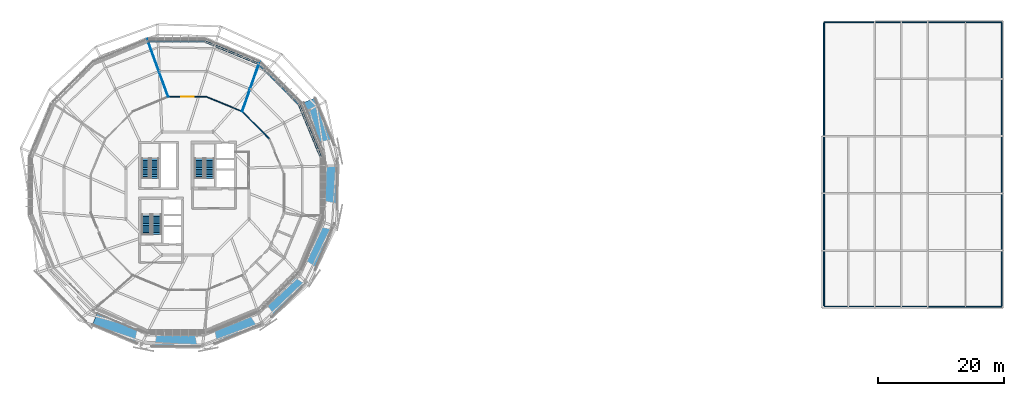
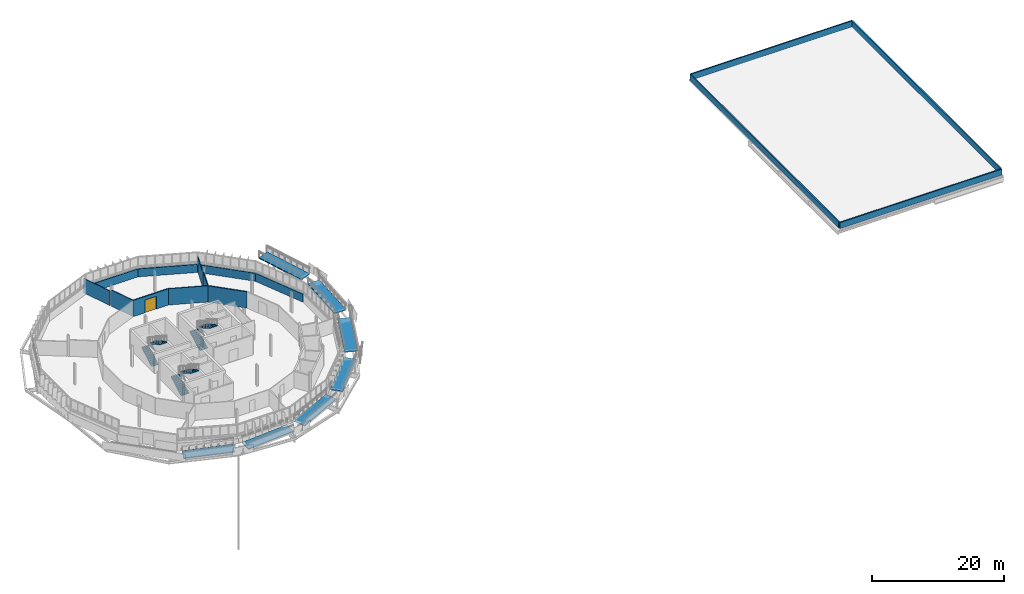
# One storey, part 31 of 38: 15 walls, 7 ramp flights, 6 stair flights, 1 door, 1 opening, 4 elements without a shape of their own.
"""IFC4 building model written with IfcOpenShell, lengths in metres."""

from ifc_helpers import new_model, si_unit, derived_unit, direction, frame, frame_2d, origin, place, context, subcontext, project, spatial, polyline, rectangle, outline, extrude, material, layer, layer_set, type_object, element, fill, aggregate, save


model = new_model("IFC4")

# Units and contexts
model_context = context("Model", 3, precision=1e-05, world=origin(), true_north=direction((0.0, 1.0)))
body_context = subcontext(model_context, "Body", "Model", "MODEL_VIEW")
ifc_project = project(units=[si_unit("LENGTHUNIT", "METRE"), si_unit("AREAUNIT", "SQUARE_METRE"), si_unit("VOLUMEUNIT", "CUBIC_METRE"), si_unit("PLANEANGLEUNIT", "RADIAN"), si_unit("MASSUNIT", "GRAM", prefix="KILO"), derived_unit("THERMALTRANSMITTANCEUNIT", [(si_unit("MASSUNIT", "GRAM", prefix="KILO"), 1), (si_unit("TIMEUNIT", "SECOND"), -3), (si_unit("THERMODYNAMICTEMPERATUREUNIT", "KELVIN"), -1)])], contexts=[model_context])

# Site, building, storey
site_placement = place(None, origin())
site = spatial("IfcSite", under=ifc_project, at=site_placement, CompositionType="ELEMENT")
building_placement = place(site_placement, origin())
building = spatial("IfcBuilding", under=site, at=building_placement, Name="Makaiwela Harbour Ferry Terminal", CompositionType="ELEMENT")
storey_placement = place(building_placement, frame((0.0, 0.0, 17.699951171875)))
storey = spatial("IfcBuildingStorey", under=building, at=storey_placement, Name="L04", CompositionType="ELEMENT", Elevation=17.699951171875)

# Walls
ifc_material_1 = material(Name="Precast concrete f'c 40 MPa (6000 psi)", Category="concrete")
ifc_layer_1 = layer(ifc_material_1, 0.260009765625)
ifc_layer_set_1 = layer_set([ifc_layer_1], Name="Precast concrete f'c 40 MPa (6000 psi)")
wall_type_1 = type_object("IfcWallType", Name="ENV-WL-EXT260", PredefinedType="SOLIDWALL", material=ifc_layer_set_1)
wall_1_placement = place(storey_placement, frame((58.989013671875, 73.36279296875, 0.0), z_axis=(0.0, 0.0, 1.0), x_axis=(-0.382695693471, 0.9238744537, 0.0)))
element("IfcWall", 1, at=wall_1_placement, inside=storey, type_object=wall_type_1, Name="Drum Spandrel Backup Wall EW-L04-00", PredefinedType="SOLIDWALL", context=body_context, shape_type="SweptSolid", body=[
    extrude(rectangle(XDim=9.0703125, YDim=0.260009765625, at=frame_2d((4.53515625, 0.0))), origin(), (0.0, 0.0, 1.0), 1.47998046875),
])
wall_2_placement = place(storey_placement, frame((55.485107421875, 81.79150390625, 0.0), z_axis=(0.0, 0.0, 1.0), x_axis=(-0.707106781187, 0.707106781187, 0.0)))
element("IfcWall", 2, at=wall_2_placement, inside=storey, type_object=wall_type_1, Name="Drum Spandrel Backup Wall EW-L04-01", PredefinedType="SOLIDWALL", context=body_context, shape_type="SweptSolid", body=[
    extrude(rectangle(XDim=9.070068359375, YDim=0.260009765625, at=frame_2d((4.53515625, 0.0))), origin(), (0.0, 0.0, 1.0), 1.47998046875),
])
for number, where, z_axis, x_axis, name in (
    (3, (49.022705078125, 88.23779296875, 0.0), (0.0, 0.0, 1.0), (-0.9238744537, 0.382695693471, 0.0), "Drum Spandrel Backup Wall EW-L04-02"),
    (4, (40.585205078125, 91.720458984375, 0.0), (0.0, 0.0, 1.0), (-1.0, 0.0, 0.0), "Drum Spandrel Backup Wall EW-L04-03"),
):
    element("IfcWall", number, at=place(storey_placement, frame(where, z_axis=z_axis, x_axis=x_axis)), inside=storey, type_object=wall_type_1, Name=name, PredefinedType="SOLIDWALL", context=body_context, shape_type="SweptSolid", body=[
        extrude(rectangle(XDim=9.0703125, YDim=0.260009765625, at=frame_2d((4.53515625, 0.0))), origin(), (0.0, 0.0, 1.0), 1.47998046875),
    ])
ifc_layer_2 = layer(ifc_material_1, 0.219970703125)
ifc_layer_set_2 = layer_set([ifc_layer_2], Name="Precast concrete f'c 40 MPa (6000 psi)")
wall_type_2 = type_object("IfcWallType", Name="ENV-WL-PAR220", PredefinedType="PARAPET", material=ifc_layer_set_2)
wall_3_placement = place(storey_placement, frame((138.949951171875, 49.60009765625, 0.0), z_axis=(0.0, 0.0, 1.0), x_axis=(1.0, 0.0, 0.0)))
element("IfcWall", 5, at=wall_3_placement, inside=storey, type_object=wall_type_2, Name="Roof Parapet Wall PW-012", PredefinedType="PARAPET", context=body_context, shape_type="SweptSolid", body=[
    extrude(rectangle(XDim=28.25, YDim=0.219970703125, at=frame_2d((14.125, 0.0))), origin(), (0.0, 0.0, 1.0), 1.1201171875),
])
wall_4_placement = place(storey_placement, frame((167.199951171875, 49.719970703125, 0.0), z_axis=(0.0, 0.0, 1.0), x_axis=(0.0, 1.0, 0.0)))
element("IfcWall", 6, at=wall_4_placement, inside=storey, type_object=wall_type_2, Name="Roof Parapet Wall PW-013", PredefinedType="PARAPET", context=body_context, shape_type="SweptSolid", body=[
    extrude(rectangle(XDim=44.9599609375, YDim=0.219970703125, at=frame_2d((22.47998046875, 0.0))), origin(), (0.0, 0.0, 1.0), 1.1201171875),
])
wall_5_placement = place(storey_placement, frame((167.199951171875, 94.800048828125, 0.0), z_axis=(0.0, 0.0, 1.0), x_axis=(-1.0, 0.0, 0.0)))
element("IfcWall", 7, at=wall_5_placement, inside=storey, type_object=wall_type_2, Name="Roof Parapet Wall PW-014", PredefinedType="PARAPET", context=body_context, shape_type="SweptSolid", body=[
    extrude(rectangle(XDim=28.25, YDim=0.219970703125, at=frame_2d((14.125, 0.0))), origin(), (0.0, 0.0, 1.0), 1.1201171875),
])
wall_6_placement = place(storey_placement, frame((138.949951171875, 94.679931640625, 0.0), z_axis=(0.0, 0.0, 1.0), x_axis=(0.0, -1.0, 0.0)))
element("IfcWall", 8, at=wall_6_placement, inside=storey, type_object=wall_type_2, Name="Roof Parapet Wall PW-015", PredefinedType="PARAPET", context=body_context, shape_type="SweptSolid", body=[
    extrude(rectangle(XDim=44.9599609375, YDim=0.219970703125, at=frame_2d((22.47998046875, 0.0))), origin(), (0.0, 0.0, 1.0), 1.1201171875),
])
ifc_material_2 = material(Name="Fire-rated gypsum board on steel studs", Category="steel")
ifc_layer_3 = layer(ifc_material_2, 0.179931640625)
ifc_layer_set_3 = layer_set([ifc_layer_3], Name="Fire-rated gypsum board on steel studs")
wall_type_3 = type_object("IfcWallType", Name="INT-WL-FIR180", PredefinedType="PARTITIONING", material=ifc_layer_set_3)
wall_7_placement = place(storey_placement, frame((50.8125, 76.294677734375, 0.0), z_axis=(0.0, 0.0, 1.0), x_axis=(-0.707106781187, 0.707106781187, 0.0)))
element("IfcWall", 9, at=wall_7_placement, inside=storey, type_object=wall_type_3, Name="Interior Wall IW-0359", PredefinedType="PARTITIONING", context=body_context, shape_type="SweptSolid", body=[
    extrude(rectangle(XDim=6.1064453125, YDim=0.179931640625, at=frame_2d((3.05322265625, 0.0))), origin(), (0.0, 0.0, 1.0), 3.009033203125),
])

# Wall, opening, door
wall_8_placement = place(storey_placement, frame((40.853271484375, 82.94921875, 0.0), z_axis=(0.0, 0.0, 1.0), x_axis=(-1.0, 0.0, 0.0)))
wall_8 = element("IfcWall", 10, at=wall_8_placement, inside=storey, type_object=wall_type_3, Name="Interior Wall IW-0361", PredefinedType="PARTITIONING", context=body_context, shape_type="SweptSolid", body=[
    extrude(rectangle(XDim=6.1064453125, YDim=0.179931640625, at=frame_2d((3.05322265625, 0.0))), origin(), (0.0, 0.0, 1.0), 3.009033203125),
])
opening_placement = place(wall_8_placement, frame((2.078125, 0.0, 0.0)))
opening = element("IfcOpeningElement", 11, at=opening_placement, cuts=wall_8, Name="Opening D-19", PredefinedType="OPENING", context=body_context, shape_type="SweptSolid", body=[
    extrude(rectangle(XDim=1.949951171875, YDim=2.35009765625, at=frame_2d((0.97509765625, 1.175048828125))), frame((0.0, 0.099853515625, 0.0), z_axis=(0.0, -1.0, 0.0), x_axis=(1.0, 0.0, 0.0)), (0.0, 0.0, 1.0), 0.199951171875),
])
ifc_material_3 = material(Name="Solid-core marine hardwood and painted steel frame", Category="steel")
door_type = type_object("IfcDoorType", Name="INT-DR-RET195", OperationType="NOTDEFINED", PredefinedType="DOOR", material=ifc_material_3)
door_placement = place(opening_placement, frame((1.949951171875, 0.0, 0.0), z_axis=(0.0, 0.0, 1.0), x_axis=(-1.0, 0.0, 0.0)))
door = element("IfcDoor", 12, at=door_placement, inside=storey, type_object=door_type, Name="Door D-19", OperationType="DOUBLE_DOOR_SINGLE_SWING", OverallHeight=2.35009765625, OverallWidth=1.949951171875, PredefinedType="DOOR", context=body_context, shape_type="SweptSolid", body=[
    extrude(rectangle(XDim=1.949951171875, YDim=2.35009765625, at=frame_2d((0.97509765625, 1.175048828125))), frame((0.0, 0.02490234375, 0.0), z_axis=(0.0, -1.0, 0.0), x_axis=(1.0, 0.0, 0.0)), (0.0, 0.0, 1.0), 0.050048828125),
])
fill(opening, door)

# Walls
ifc_material_4 = material(Name="Moisture-resistant acoustic gypsum partition", Category="gypsum")
ifc_layer_4 = layer(ifc_material_4, 0.1201171875)
ifc_layer_set_4 = layer_set([ifc_layer_4], Name="Moisture-resistant acoustic gypsum partition")
wall_type_4 = type_object("IfcWallType", Name="INT-WL-PRT120", PredefinedType="PARTITIONING", material=ifc_layer_set_4)
wall_9_placement = place(storey_placement, frame((34.746826171875, 82.94921875, 0.0), z_axis=(0.0, 0.0, 1.0), x_axis=(-0.34228483953, 0.939596237023, 0.0)))
element("IfcWall", 13, at=wall_9_placement, inside=storey, type_object=wall_type_4, Name="Interior Wall IW-0385", PredefinedType="PARTITIONING", context=body_context, shape_type="SweptSolid", body=[
    extrude(rectangle(XDim=4.160400390625, YDim=0.1201171875, at=frame_2d((2.080078125, 0.0))), origin(), (0.0, 0.0, 1.0), 3.009033203125),
])
wall_10_placement = place(storey_placement, frame((33.215576171875, 87.15234375, 0.0), z_axis=(0.0, 0.0, 1.0), x_axis=(-0.342317386116, 0.939584380012, 0.0)))
element("IfcWall", 14, at=wall_10_placement, inside=storey, type_object=wall_type_4, Name="Interior Wall IW-0386", PredefinedType="PARTITIONING", context=body_context, shape_type="SweptSolid", body=[
    extrude(rectangle(XDim=5.289794921875, YDim=0.1201171875, at=frame_2d((2.64501953125, 0.0))), origin(), (0.0, 0.0, 1.0), 2.675048828125),
])
ifc_layer_5 = layer(ifc_material_4, 0.14990234375)
ifc_layer_set_5 = layer_set([ifc_layer_5], Name="Moisture-resistant acoustic gypsum partition")
wall_type_5 = type_object("IfcWallType", Name="INT-WL-PRT150", PredefinedType="PARTITIONING", material=ifc_layer_set_5)
wall_11_placement = place(storey_placement, frame((46.49462890625, 80.612548828125, 0.0), z_axis=(0.0, 0.0, 1.0), x_axis=(-0.92388282315, 0.382675487963, 0.0)))
element("IfcWall", 15, at=wall_11_placement, inside=storey, type_object=wall_type_5, Name="Interior Wall IW-0360", PredefinedType="PARTITIONING", context=body_context, shape_type="SweptSolid", body=[
    extrude(rectangle(XDim=6.106201171875, YDim=0.14990234375, at=frame_2d((3.05322265625, 0.0))), origin(), (0.0, 0.0, 1.0), 3.009033203125),
])
wall_12_placement = place(storey_placement, frame((46.49462890625, 80.612548828125, 0.0), z_axis=(0.0, 0.0, 1.0), x_axis=(0.330248475473, 0.943894032425, 0.0)))
element("IfcWall", 16, at=wall_12_placement, inside=storey, type_object=wall_type_5, Name="Interior Wall IW-0383", PredefinedType="PARTITIONING", context=body_context, shape_type="SweptSolid", body=[
    extrude(rectangle(XDim=3.626708984375, YDim=0.14990234375, at=frame_2d((1.8134765625, 0.0))), origin(), (0.0, 0.0, 1.0), 3.009033203125),
])
wall_13_placement = place(storey_placement, frame((47.79052734375, 84.31591796875, 0.0), z_axis=(0.0, 0.0, 1.0), x_axis=(0.330258676498, 0.943890463241, 0.0)))
element("IfcWall", 17, at=wall_13_placement, inside=storey, type_object=wall_type_5, Name="Interior Wall IW-0384", PredefinedType="PARTITIONING", context=body_context, shape_type="SweptSolid", body=[
    extrude(rectangle(XDim=4.504150390625, YDim=0.14990234375, at=frame_2d((2.251953125, 0.0))), origin(), (0.0, 0.0, 1.0), 2.675048828125),
])

# Stair, stair flights
ifc_material_5 = material(Name="Concrete f'c 35 MPa (5000 psi)", Category="concrete")
stair_type_1 = type_object("IfcStairType", Name="CIR-STR-A04", PredefinedType="HALF_TURN_STAIR", material=ifc_material_5)
stair_1_placement = place(storey_placement, origin())
stair_1 = element("IfcStair", 18, at=stair_1_placement, inside=storey, type_object=stair_type_1, Name="Stair ST-01-L04", PredefinedType="HALF_TURN_STAIR")
stair_flight_type_1 = type_object("IfcStairFlightType", Name="CIR-FLT-F04", PredefinedType="STRAIGHT", material=ifc_material_5)
stair_flight_1_placement = place(storey_placement, frame((39.657958984375, 70.0, 0.0), z_axis=(0.0, 0.0, 1.0), x_axis=(0.0, 1.0, 0.0)))
stair_flight_1 = element("IfcStairFlight", 19, at=stair_flight_1_placement, type_object=stair_flight_type_1, Name="Stair Flight ST-01-L04-F1", NumberOfRisers=12, NumberOfTreads=11, PredefinedType="STRAIGHT", RiserHeight=0.1625, TreadLength=0.285, context=body_context, shape_type="SweptSolid", body=[
    extrude(outline(polyline([(0.0, 0.0), (0.0, 0.16259765625), (0.284912109375, 0.16259765625), (0.284912109375, 0.324951171875), (0.570068359375, 0.324951171875), (0.570068359375, 0.487548828125), (0.85498046875, 0.487548828125), (0.85498046875, 0.64990234375), (1.139892578125, 0.64990234375), (1.139892578125, 0.8125), (1.425048828125, 0.8125), (1.425048828125, 0.97509765625), (1.7099609375, 0.97509765625), (1.7099609375, 1.137451171875), (1.9951171875, 1.137451171875), (1.9951171875, 1.300048828125), (2.280029296875, 1.300048828125), (2.280029296875, 1.46240234375), (2.56494140625, 1.46240234375), (2.56494140625, 1.625), (2.85009765625, 1.625), (2.85009765625, 1.78759765625), (3.135009765625, 1.78759765625), (3.135009765625, 1.949951171875), (3.135009765625, 1.580322265625), (0.36328125, 0.0), (0.0, 0.0)])), frame((0.0, 0.697998046875, 0.0), z_axis=(0.0, -1.0, 0.0), x_axis=(1.0, 0.0, 0.0)), (0.0, 0.0, 1.0), 1.39599609375),
])
stair_flight_2_placement = place(storey_placement, frame((41.333984375, 73.135009765625, 1.949951171875), z_axis=(0.0, 0.0, 1.0), x_axis=(0.0, -1.0, 0.0)))
stair_flight_2 = element("IfcStairFlight", 20, at=stair_flight_2_placement, type_object=stair_flight_type_1, Name="Stair Flight ST-01-L04-F2", NumberOfRisers=12, NumberOfTreads=11, PredefinedType="STRAIGHT", RiserHeight=0.1625, TreadLength=0.285, context=body_context, shape_type="SweptSolid", body=[
    extrude(outline(polyline([(0.0, 0.0), (0.0, 0.16259765625), (0.284912109375, 0.16259765625), (0.284912109375, 0.324951171875), (0.570068359375, 0.324951171875), (0.570068359375, 0.487548828125), (0.85498046875, 0.487548828125), (0.85498046875, 0.64990234375), (1.139892578125, 0.64990234375), (1.139892578125, 0.8125), (1.425048828125, 0.8125), (1.425048828125, 0.97509765625), (1.7099609375, 0.97509765625), (1.7099609375, 1.137451171875), (1.9951171875, 1.137451171875), (1.9951171875, 1.300048828125), (2.280029296875, 1.300048828125), (2.280029296875, 1.46240234375), (2.56494140625, 1.46240234375), (2.56494140625, 1.625), (2.85009765625, 1.625), (2.85009765625, 1.78759765625), (3.135009765625, 1.78759765625), (3.135009765625, 1.949951171875), (3.135009765625, 1.580322265625), (0.36328125, 0.0), (0.0, 0.0)])), frame((0.0, 0.697998046875, 0.0), z_axis=(0.0, -1.0, 0.0), x_axis=(1.0, 0.0, 0.0)), (0.0, 0.0, 1.0), 1.39599609375),
])
aggregate(stair_1, [stair_flight_1, stair_flight_2])

stair_2_placement = place(storey_placement, origin())
stair_2 = element("IfcStair", 21, at=stair_2_placement, inside=storey, type_object=stair_type_1, Name="Stair ST-02-L04", PredefinedType="HALF_TURN_STAIR")
stair_flight_3_placement = place(storey_placement, frame((31.258056640625, 61.10009765625, 0.0), z_axis=(0.0, 0.0, 1.0), x_axis=(0.0, 1.0, 0.0)))
stair_flight_3 = element("IfcStairFlight", 22, at=stair_flight_3_placement, type_object=stair_flight_type_1, Name="Stair Flight ST-02-L04-F1", NumberOfRisers=12, NumberOfTreads=11, PredefinedType="STRAIGHT", RiserHeight=0.1625, TreadLength=0.285, context=body_context, shape_type="SweptSolid", body=[
    extrude(outline(polyline([(0.0, 0.0), (0.0, 0.16259765625), (0.284912109375, 0.16259765625), (0.284912109375, 0.324951171875), (0.570068359375, 0.324951171875), (0.570068359375, 0.487548828125), (0.85498046875, 0.487548828125), (0.85498046875, 0.64990234375), (1.139892578125, 0.64990234375), (1.139892578125, 0.8125), (1.425048828125, 0.8125), (1.425048828125, 0.97509765625), (1.7099609375, 0.97509765625), (1.7099609375, 1.137451171875), (1.9951171875, 1.137451171875), (1.9951171875, 1.300048828125), (2.280029296875, 1.300048828125), (2.280029296875, 1.46240234375), (2.56494140625, 1.46240234375), (2.56494140625, 1.625), (2.85009765625, 1.625), (2.85009765625, 1.78759765625), (3.135009765625, 1.78759765625), (3.135009765625, 1.949951171875), (3.135009765625, 1.580322265625), (0.36328125, 0.0), (0.0, 0.0)])), frame((0.0, 0.697998046875, 0.0), z_axis=(0.0, -1.0, 0.0), x_axis=(1.0, 0.0, 0.0)), (0.0, 0.0, 1.0), 1.39599609375),
])
stair_flight_4_placement = place(storey_placement, frame((32.93408203125, 64.235107421875, 1.949951171875), z_axis=(0.0, 0.0, 1.0), x_axis=(0.0, -1.0, 0.0)))
stair_flight_4 = element("IfcStairFlight", 23, at=stair_flight_4_placement, type_object=stair_flight_type_1, Name="Stair Flight ST-02-L04-F2", NumberOfRisers=12, NumberOfTreads=11, PredefinedType="STRAIGHT", RiserHeight=0.1625, TreadLength=0.285, context=body_context, shape_type="SweptSolid", body=[
    extrude(outline(polyline([(0.0, 0.0), (0.0, 0.16259765625), (0.284912109375, 0.16259765625), (0.284912109375, 0.324951171875), (0.570068359375, 0.324951171875), (0.570068359375, 0.487548828125), (0.85498046875, 0.487548828125), (0.85498046875, 0.64990234375), (1.139892578125, 0.64990234375), (1.139892578125, 0.8125), (1.425048828125, 0.8125), (1.425048828125, 0.97509765625), (1.7099609375, 0.97509765625), (1.7099609375, 1.137451171875), (1.9951171875, 1.137451171875), (1.9951171875, 1.300048828125), (2.280029296875, 1.300048828125), (2.280029296875, 1.46240234375), (2.56494140625, 1.46240234375), (2.56494140625, 1.625), (2.85009765625, 1.625), (2.85009765625, 1.78759765625), (3.135009765625, 1.78759765625), (3.135009765625, 1.949951171875), (3.135009765625, 1.580322265625), (0.36328125, 0.0), (0.0, 0.0)])), frame((0.0, 0.697998046875, 0.0), z_axis=(0.0, -1.0, 0.0), x_axis=(1.0, 0.0, 0.0)), (0.0, 0.0, 1.0), 1.39599609375),
])
aggregate(stair_2, [stair_flight_3, stair_flight_4])

stair_type_2 = type_object("IfcStairType", Name="CIR-STR-A08", PredefinedType="HALF_TURN_STAIR", material=ifc_material_5)
stair_3_placement = place(storey_placement, origin())
stair_3 = element("IfcStair", 24, at=stair_3_placement, inside=storey, type_object=stair_type_2, Name="Stair ST-03-L04", PredefinedType="HALF_TURN_STAIR")
stair_flight_type_2 = type_object("IfcStairFlightType", Name="CIR-FLT-F08", PredefinedType="STRAIGHT", material=ifc_material_5)
stair_flight_5_placement = place(storey_placement, frame((31.14990234375, 70.0, 0.0), z_axis=(0.0, 0.0, 1.0), x_axis=(0.0, 1.0, 0.0)))
stair_flight_5 = element("IfcStairFlight", 25, at=stair_flight_5_placement, type_object=stair_flight_type_2, Name="Stair Flight ST-03-L04-F1", NumberOfRisers=12, NumberOfTreads=11, PredefinedType="STRAIGHT", RiserHeight=0.1625, TreadLength=0.285, context=body_context, shape_type="SweptSolid", body=[
    extrude(outline(polyline([(0.0, 0.0), (0.0, 0.16259765625), (0.284912109375, 0.16259765625), (0.284912109375, 0.324951171875), (0.570068359375, 0.324951171875), (0.570068359375, 0.487548828125), (0.85498046875, 0.487548828125), (0.85498046875, 0.64990234375), (1.139892578125, 0.64990234375), (1.139892578125, 0.8125), (1.425048828125, 0.8125), (1.425048828125, 0.97509765625), (1.7099609375, 0.97509765625), (1.7099609375, 1.137451171875), (1.9951171875, 1.137451171875), (1.9951171875, 1.300048828125), (2.280029296875, 1.300048828125), (2.280029296875, 1.46240234375), (2.56494140625, 1.46240234375), (2.56494140625, 1.625), (2.85009765625, 1.625), (2.85009765625, 1.78759765625), (3.135009765625, 1.78759765625), (3.135009765625, 1.949951171875), (3.135009765625, 1.580322265625), (0.36328125, 0.0), (0.0, 0.0)])), frame((0.0, 0.58984375, 0.0), z_axis=(0.0, -1.0, 0.0), x_axis=(1.0, 0.0, 0.0)), (0.0, 0.0, 1.0), 1.179931640625),
])
stair_flight_6_placement = place(storey_placement, frame((32.610107421875, 73.135009765625, 1.949951171875), z_axis=(0.0, 0.0, 1.0), x_axis=(0.0, -1.0, 0.0)))
stair_flight_6 = element("IfcStairFlight", 26, at=stair_flight_6_placement, type_object=stair_flight_type_2, Name="Stair Flight ST-03-L04-F2", NumberOfRisers=12, NumberOfTreads=11, PredefinedType="STRAIGHT", RiserHeight=0.1625, TreadLength=0.285, context=body_context, shape_type="SweptSolid", body=[
    extrude(outline(polyline([(0.0, 0.0), (0.0, 0.16259765625), (0.284912109375, 0.16259765625), (0.284912109375, 0.324951171875), (0.570068359375, 0.324951171875), (0.570068359375, 0.487548828125), (0.85498046875, 0.487548828125), (0.85498046875, 0.64990234375), (1.139892578125, 0.64990234375), (1.139892578125, 0.8125), (1.425048828125, 0.8125), (1.425048828125, 0.97509765625), (1.7099609375, 0.97509765625), (1.7099609375, 1.137451171875), (1.9951171875, 1.137451171875), (1.9951171875, 1.300048828125), (2.280029296875, 1.300048828125), (2.280029296875, 1.46240234375), (2.56494140625, 1.46240234375), (2.56494140625, 1.625), (2.85009765625, 1.625), (2.85009765625, 1.78759765625), (3.135009765625, 1.78759765625), (3.135009765625, 1.949951171875), (3.135009765625, 1.580322265625), (0.36328125, 0.0), (0.0, 0.0)])), frame((0.0, 0.58984375, 0.0), z_axis=(0.0, -1.0, 0.0), x_axis=(1.0, 0.0, 0.0)), (0.0, 0.0, 1.0), 1.179931640625),
])
aggregate(stair_3, [stair_flight_5, stair_flight_6])

# Ramp, ramp flights
ramp_type = type_object("IfcRampType", Name="CIR-RMP-ASSY", PredefinedType="STRAIGHT_RUN_RAMP", material=ifc_material_5)
ramp_placement = place(storey_placement, origin())
ramp = element("IfcRamp", 27, at=ramp_placement, inside=storey, type_object=ramp_type, Name="External Coiled Promenade Ramp L04 to L05", PredefinedType="STRAIGHT_RUN_RAMP")
ifc_layer_6 = layer(ifc_material_5, 0.179931640625)
ifc_layer_set_6 = layer_set([ifc_layer_6], Name="Concrete f'c 35 MPa (5000 psi)")
ramp_flight_type = type_object("IfcRampFlightType", Name="CIR-RMP-FLT", PredefinedType="STRAIGHT", material=ifc_layer_set_6)
ramp_flight_1_placement = place(storey_placement, frame((23.07470703125, 47.671875, 0.0), z_axis=(0.0, 0.0, 1.0), x_axis=(0.921171822016, -0.38915610534, 0.0)))
ramp_flight_1 = element("IfcRampFlight", 28, at=ramp_flight_1_placement, type_object=ramp_flight_type, Name="Ramp Flight L04-F1", PredefinedType="STRAIGHT", context=body_context, shape_type="SweptSolid", body=[
    extrude(outline(polyline([(0.0, 0.0), (7.76025390625, 0.55712890625), (7.76025390625, 0.376708984375), (0.0, -0.180419921875), (0.0, 0.0)])), frame((0.0, 1.0, 0.0), z_axis=(0.0, -1.0, 0.0), x_axis=(1.0, 0.0, 0.0)), (0.0, 0.0, 1.0), 2.0),
])
ramp_flight_2_placement = place(storey_placement, frame((32.04833984375, 44.278564453125, 0.55712890625), z_axis=(0.0, 0.0, 1.0), x_axis=(0.99999276169, -0.003804808589, 0.0)))
ramp_flight_2 = element("IfcRampFlight", 29, at=ramp_flight_2_placement, type_object=ramp_flight_type, Name="Ramp Flight L04-F2", PredefinedType="STRAIGHT", context=body_context, shape_type="SweptSolid", body=[
    extrude(outline(polyline([(0.0, 0.0), (7.805908203125, 0.55712890625), (7.805908203125, 0.376708984375), (0.0, -0.180419921875), (0.0, 0.0)])), frame((0.0, 1.0, 0.0), z_axis=(0.0, -1.0, 0.0), x_axis=(1.0, 0.0, 0.0)), (0.0, 0.0, 1.0), 2.0),
])
ramp_flight_3_placement = place(storey_placement, frame((41.682373046875, 44.607666015625, 1.1142578125), z_axis=(0.0, 0.0, 1.0), x_axis=(0.92439964494, 0.381425348442, 0.0)))
ramp_flight_3 = element("IfcRampFlight", 30, at=ramp_flight_3_placement, type_object=ramp_flight_type, Name="Ramp Flight L04-F3", PredefinedType="STRAIGHT", context=body_context, shape_type="SweptSolid", body=[
    extrude(outline(polyline([(0.0, 0.0), (7.86279296875, 0.55712890625), (7.86279296875, 0.376708984375), (0.0, -0.180419921875), (0.0, 0.0)])), frame((0.0, 1.0, 0.0), z_axis=(0.0, -1.0, 0.0), x_axis=(1.0, 0.0, 0.0)), (0.0, 0.0, 1.0), 2.0),
])
ramp_flight_4_placement = place(storey_placement, frame((50.500732421875, 48.640869140625, 1.67138671875), z_axis=(0.0, 0.0, 1.0), x_axis=(0.70711912242, 0.707094439737, 0.0)))
ramp_flight_4 = element("IfcRampFlight", 31, at=ramp_flight_4_placement, type_object=ramp_flight_type, Name="Ramp Flight L04-F4", PredefinedType="STRAIGHT", context=body_context, shape_type="SweptSolid", body=[
    extrude(outline(polyline([(0.0, 0.0), (7.927001953125, 0.55712890625), (7.927001953125, 0.376708984375), (0.0, -0.180419921875), (0.0, 0.0)])), frame((0.0, 1.0, 0.0), z_axis=(0.0, -1.0, 0.0), x_axis=(1.0, 0.0, 0.0)), (0.0, 0.0, 1.0), 2.0),
])
ramp_flight_5_placement = place(storey_placement, frame((57.1416015625, 55.79541015625, 2.228759765625), z_axis=(0.0, 0.0, 1.0), x_axis=(0.382683432365, 0.923879532511, 0.0)))
ramp_flight_5 = element("IfcRampFlight", 32, at=ramp_flight_5_placement, type_object=ramp_flight_type, Name="Ramp Flight L04-F5", PredefinedType="STRAIGHT", context=body_context, shape_type="SweptSolid", body=[
    extrude(outline(polyline([(0.0, 0.0), (7.993896484375, 0.55712890625), (7.993896484375, 0.376708984375), (0.0, -0.180419921875), (0.0, 0.0)])), frame((0.0, 1.0, 0.0), z_axis=(0.0, -1.0, 0.0), x_axis=(1.0, 0.0, 0.0)), (0.0, 0.0, 1.0), 2.0),
])
ramp_flight_6_placement = place(storey_placement, frame((60.5654296875, 65.008544921875, 2.78564453125), z_axis=(0.0, 0.0, 1.0), x_axis=(0.001274090009, 0.999999188347, 0.0)))
ramp_flight_6 = element("IfcRampFlight", 33, at=ramp_flight_6_placement, type_object=ramp_flight_type, Name="Ramp Flight L04-F6", PredefinedType="STRAIGHT", context=body_context, shape_type="SweptSolid", body=[
    extrude(outline(polyline([(0.0, 0.0), (8.058349609375, 0.55712890625), (8.058349609375, 0.376708984375), (0.0, -0.180419921875), (0.0, 0.0)])), frame((0.0, 1.0, 0.0), z_axis=(0.0, -1.0, 0.0), x_axis=(1.0, 0.0, 0.0)), (0.0, 0.0, 1.0), 2.0),
])
ramp_flight_7_placement = place(storey_placement, frame((60.21630859375, 74.895751953125, 3.343017578125), z_axis=(0.0, 0.0, 1.0), x_axis=(-0.379343121006, 0.925256070796, 0.0)))
ramp_flight_7 = element("IfcRampFlight", 34, at=ramp_flight_7_placement, type_object=ramp_flight_type, Name="Ramp Flight L04-F7", PredefinedType="STRAIGHT", context=body_context, shape_type="SweptSolid", body=[
    extrude(outline(polyline([(0.0, 0.0), (8.115478515625, 0.55712890625), (8.115478515625, 0.376708984375), (0.0, -0.180419921875), (0.0, 0.0)])), frame((0.0, 1.0, 0.0), z_axis=(0.0, -1.0, 0.0), x_axis=(1.0, 0.0, 0.0)), (0.0, 0.0, 1.0), 2.0),
])
aggregate(ramp, [ramp_flight_1, ramp_flight_2, ramp_flight_3, ramp_flight_4, ramp_flight_5, ramp_flight_6, ramp_flight_7])

save(model, "model.ifc")
